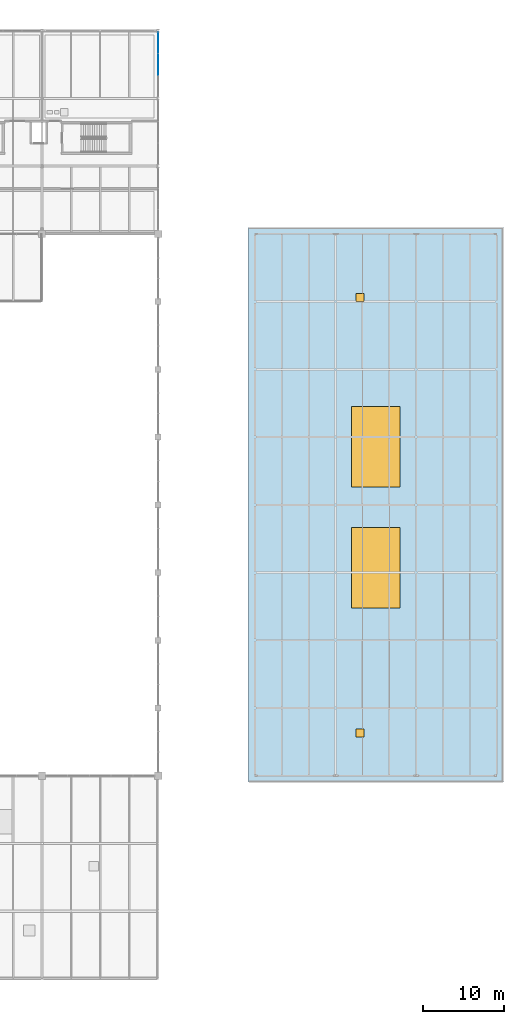
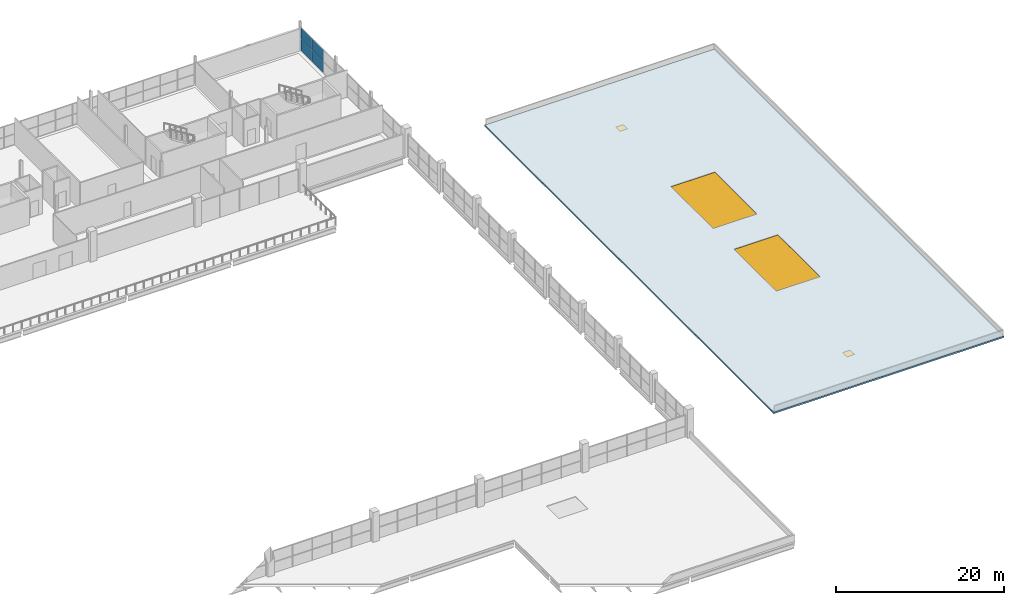
# One storey, part 74 of 93: 4 plates, 2 doors, 2 windows, 1 slab, 4 openings, 1 element without a shape of its own.
"""IFC4 building model written with IfcOpenShell, lengths in metres."""

from ifc_helpers import new_model, si_unit, direction, frame, origin, origin_2d, place, context, subcontext, project, spatial, polyline, rectangle, outline, extrude, material, layer, layer_set, type_object, element, fill, aggregate, save


model = new_model("IFC4")

# Units and contexts
model_context = context("Model", 3, precision=1e-05, world=origin(), true_north=direction((0.0, 1.0)))
body_context = subcontext(model_context, "Body", "Model", "MODEL_VIEW")
ifc_project = project(units=[si_unit("LENGTHUNIT", "METRE"), si_unit("AREAUNIT", "SQUARE_METRE"), si_unit("VOLUMEUNIT", "CUBIC_METRE"), si_unit("PLANEANGLEUNIT", "RADIAN"), si_unit("MASSUNIT", "GRAM", prefix="KILO"), si_unit("THERMODYNAMICTEMPERATUREUNIT", "KELVIN")], contexts=[model_context])

# Site, building, storey
site_placement = place(None, origin())
site = spatial("IfcSite", under=ifc_project, at=site_placement, CompositionType="ELEMENT")
building_placement = place(site_placement, origin())
building = spatial("IfcBuilding", under=site, at=building_placement, Name="Nduvali Passage Aquatics Centre", CompositionType="ELEMENT")
storey_placement = place(building_placement, frame((0.0, 0.0, 9.0)))
storey = spatial("IfcBuildingStorey", under=building, at=storey_placement, Name="L02", CompositionType="ELEMENT", Elevation=9.0)

# Curtain wall, plates
ifc_material_1 = material(Name="Aluminium EN AW-6063 T6", Category="aluminium")
curtain_wall_type = type_object("IfcCurtainWallType", Name="ENV-CW-PASS", PredefinedType="NOTDEFINED", material=ifc_material_1)
curtain_wall_placement = place(storey_placement, origin())
curtain_wall = element("IfcCurtainWall", 1, at=curtain_wall_placement, inside=storey, type_object=curtain_wall_type, Name="L02 East Passage North Studio CW 125", PredefinedType="NOTDEFINED")
ifc_material_2 = material(Name="Laminated solar-control low-E IGU")
ifc_layer_1 = layer(ifc_material_2, 0.028076171875, Name="Laminated solar-control low-E IGU")
ifc_layer_set_1 = layer_set([ifc_layer_1], Name="Laminated solar-control low-E IGU")
plate_type = type_object("IfcPlateType", Name="ENV-PLT-GLZ28", PredefinedType="CURTAIN_PANEL", material=ifc_layer_set_1)
plate_1_placement = place(storey_placement, frame((126.0, 113.405029296875, 0.06005859375), z_axis=(0.0, 0.0, 1.0), x_axis=(0.0, 1.0, 0.0)))
plate_1 = element("IfcPlate", 2, at=plate_1_placement, type_object=plate_type, Name="East Passage North Studio CW Glazed Panel B2-R1", PredefinedType="CURTAIN_PANEL", context=body_context, shape_type="SweptSolid", body=[
    extrude(rectangle(XDim=2.6298828125, YDim=0.028076171875, at=origin_2d()), origin(), (0.0, 0.0, 1.0), 1.61328125),
])
plate_2_placement = place(storey_placement, frame((126.0, 113.405029296875, 1.733154296875), z_axis=(0.0, 0.0, 1.0), x_axis=(0.0, 1.0, 0.0)))
plate_2 = element("IfcPlate", 3, at=plate_2_placement, type_object=plate_type, Name="East Passage North Studio CW Glazed Panel B2-R2", PredefinedType="CURTAIN_PANEL", context=body_context, shape_type="SweptSolid", body=[
    extrude(rectangle(XDim=2.6298828125, YDim=0.028076171875, at=origin_2d()), origin(), (0.0, 0.0, 1.0), 1.61328125),
])
plate_3_placement = place(storey_placement, frame((126.0, 116.080078125, 0.06005859375), z_axis=(0.0, 0.0, 1.0), x_axis=(0.0, 1.0, 0.0)))
plate_3 = element("IfcPlate", 4, at=plate_3_placement, type_object=plate_type, Name="East Passage North Studio CW Glazed Panel B3-R1", PredefinedType="CURTAIN_PANEL", context=body_context, shape_type="SweptSolid", body=[
    extrude(rectangle(XDim=2.60009765625, YDim=0.028076171875, at=origin_2d()), origin(), (0.0, 0.0, 1.0), 1.61328125),
])
plate_4_placement = place(storey_placement, frame((126.0, 116.080078125, 1.733154296875), z_axis=(0.0, 0.0, 1.0), x_axis=(0.0, 1.0, 0.0)))
plate_4 = element("IfcPlate", 5, at=plate_4_placement, type_object=plate_type, Name="East Passage North Studio CW Glazed Panel B3-R2", PredefinedType="CURTAIN_PANEL", context=body_context, shape_type="SweptSolid", body=[
    extrude(rectangle(XDim=2.60009765625, YDim=0.028076171875, at=origin_2d()), origin(), (0.0, 0.0, 1.0), 1.61328125),
])
aggregate(curtain_wall, [plate_1, plate_2, plate_3, plate_4])

# Slab, openings, doors, windows
ifc_material_3 = material(Name="Concrete C40/50", Category="concrete")
ifc_layer_2 = layer(ifc_material_3, 0.219970703125, Name="Concrete C40/50")
ifc_layer_set_2 = layer_set([ifc_layer_2], Name="Concrete C40/50")
slab_type = type_object("IfcSlabType", Name="STR-SLB-ROOF220", PredefinedType="ROOF", material=ifc_layer_set_2)
slab_placement = place(storey_placement, frame((0.0, 0.0, -0.219970703125)))
slab = element("IfcSlab", 6, at=slab_placement, inside=storey, type_object=slab_type, Name="L02 East Entrance Pavilion Coffered Canopy Roof Slab", PredefinedType="ROOF", context=body_context, shape_type="SweptSolid", body=[
    extrude(outline(polyline([(137.199951171875, 24.39990234375), (168.800048828125, 24.39990234375), (168.800048828125, 93.199951171875), (137.199951171875, 93.199951171875), (137.199951171875, 24.39990234375)])), origin(), (0.0, 0.0, 1.0), 0.219970703125),
])
opening_1_placement = place(slab_placement, frame((153.0, 51.0, -0.014892578125)))
opening_1 = element("IfcOpeningElement", 7, at=opening_1_placement, cuts=slab, Name="Opening SK2", PredefinedType="OPENING", context=body_context, shape_type="SweptSolid", body=[
    extrude(rectangle(XDim=6.0, YDim=10.0, at=origin_2d()), origin(), (0.0, 0.0, 1.0), 0.249755859375),
])
opening_2_placement = place(slab_placement, frame((153.0, 66.0, -0.014892578125)))
opening_2 = element("IfcOpeningElement", 8, at=opening_2_placement, cuts=slab, Name="Opening SK2", PredefinedType="OPENING", context=body_context, shape_type="SweptSolid", body=[
    extrude(rectangle(XDim=6.0, YDim=10.0, at=origin_2d()), origin(), (0.0, 0.0, 1.0), 0.249755859375),
])
opening_3_placement = place(slab_placement, frame((151.0, 30.5, -0.014892578125)))
opening_3 = element("IfcOpeningElement", 9, at=opening_3_placement, cuts=slab, Name="Opening RH2", PredefinedType="OPENING", context=body_context, shape_type="SweptSolid", body=[
    extrude(rectangle(XDim=1.0, YDim=1.0, at=origin_2d()), origin(), (0.0, 0.0, 1.0), 0.249755859375),
])
opening_4_placement = place(slab_placement, frame((151.0, 84.5, -0.014892578125)))
opening_4 = element("IfcOpeningElement", 10, at=opening_4_placement, cuts=slab, Name="Opening RH2", PredefinedType="OPENING", context=body_context, shape_type="SweptSolid", body=[
    extrude(rectangle(XDim=1.0, YDim=1.0, at=origin_2d()), origin(), (0.0, 0.0, 1.0), 0.249755859375),
])
ifc_material_4 = material(Name="Galvanised steel door", Category="steel")
door_type = type_object("IfcDoorType", Name="ENV-TR-RH100", OperationType="SWING_FIXED_LEFT", PredefinedType="TRAPDOOR", material=ifc_material_4)
door_1_placement = place(opening_3_placement, frame((0.0, 0.0, 0.184814453125)))
door_1 = element("IfcDoor", 11, at=door_1_placement, inside=storey, type_object=door_type, Name="L02 Roof Maintenance Access Hatch 04", OperationType="SWING_FIXED_LEFT", OverallHeight=1.0, OverallWidth=1.0, PredefinedType="TRAPDOOR", context=body_context, shape_type="SweptSolid", body=[
    extrude(rectangle(XDim=1.0, YDim=1.0, at=origin_2d()), origin(), (0.0, 0.0, 1.0), 0.050048828125),
])
fill(opening_3, door_1)
door_2_placement = place(opening_4_placement, frame((0.0, 0.0, 0.184814453125)))
door_2 = element("IfcDoor", 12, at=door_2_placement, inside=storey, type_object=door_type, Name="L02 Roof Maintenance Access Hatch 05", OperationType="SWING_FIXED_LEFT", OverallHeight=1.0, OverallWidth=1.0, PredefinedType="TRAPDOOR", context=body_context, shape_type="SweptSolid", body=[
    extrude(rectangle(XDim=1.0, YDim=1.0, at=origin_2d()), origin(), (0.0, 0.0, 1.0), 0.050048828125),
])
fill(opening_4, door_2)
ifc_material_5 = material(Name="Aluminium-framed solar-control low-E IGU", Category="aluminium")
window_type = type_object("IfcWindowType", Name="ENV-WIN-SKY2", PartitioningType="SINGLE_PANEL", PredefinedType="SKYLIGHT", material=ifc_material_5)
window_1_placement = place(opening_1_placement, frame((0.0, 0.0, 0.184814453125)))
window_1 = element("IfcWindow", 13, at=window_1_placement, inside=storey, type_object=window_type, Name="V3 Atrium South Skylight", OverallHeight=10.0, OverallWidth=6.0, PartitioningType="SINGLE_PANEL", PredefinedType="SKYLIGHT", context=body_context, shape_type="SweptSolid", body=[
    extrude(rectangle(XDim=6.0, YDim=10.0, at=origin_2d()), origin(), (0.0, 0.0, 1.0), 0.050048828125),
])
fill(opening_1, window_1)
window_2_placement = place(opening_2_placement, frame((0.0, 0.0, 0.184814453125)))
window_2 = element("IfcWindow", 14, at=window_2_placement, inside=storey, type_object=window_type, Name="V3 Atrium North Skylight", OverallHeight=10.0, OverallWidth=6.0, PartitioningType="SINGLE_PANEL", PredefinedType="SKYLIGHT", context=body_context, shape_type="SweptSolid", body=[
    extrude(rectangle(XDim=6.0, YDim=10.0, at=origin_2d()), origin(), (0.0, 0.0, 1.0), 0.050048828125),
])
fill(opening_2, window_2)

save(model, "model.ifc")
